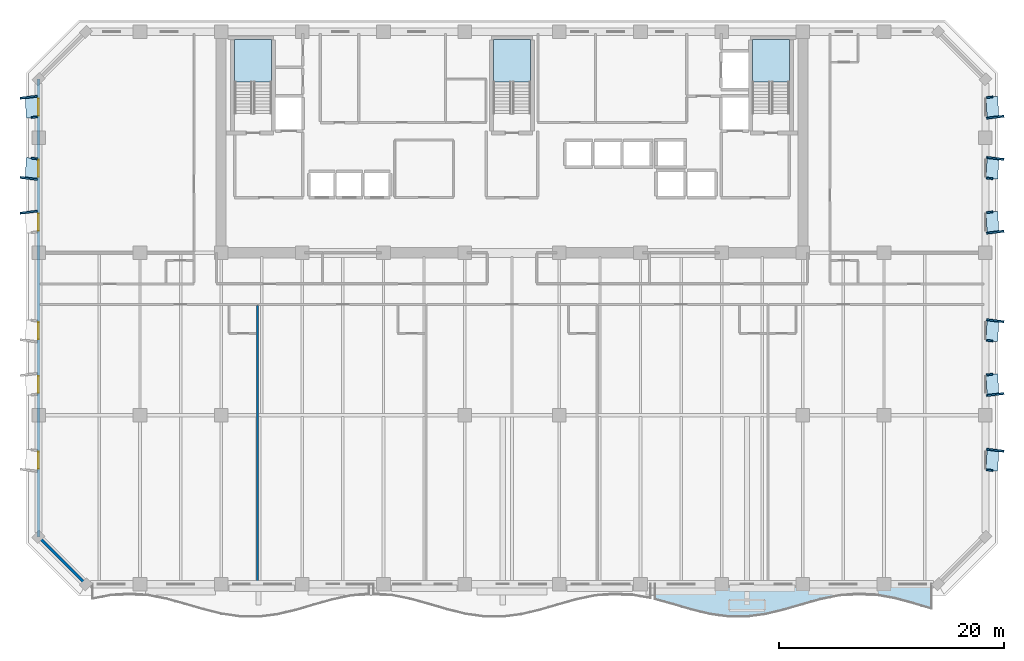
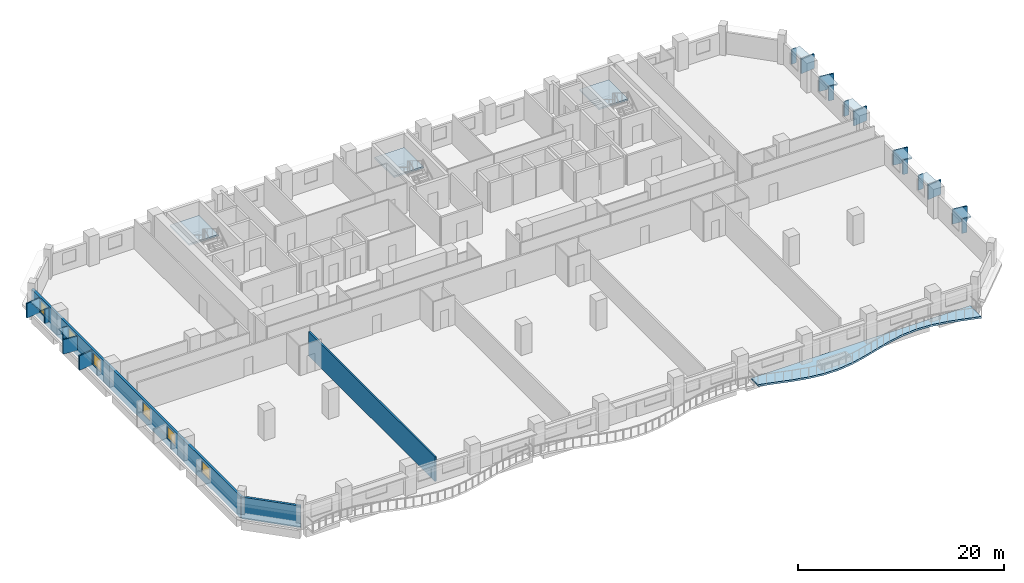
# One storey, part 3 of 14: 25 plates, 6 windows, 4 slabs, 3 walls, 6 openings, 3 elements without a shape of their own.
"""IFC4 building model written with IfcOpenShell, lengths in metres."""

from ifc_helpers import new_model, si_unit, direction, frame, frame_2d, origin, origin_2d, place, context, subcontext, project, spatial, polyline, rectangle, outline, extrude, material, layer, layer_set, type_object, element, fill, aggregate, save


model = new_model("IFC4")

# Units and contexts
model_context = context("Model", 3, precision=1e-05, world=origin(), true_north=direction((0.0, 1.0)))
body_context = subcontext(model_context, "Body", "Model", "MODEL_VIEW")
ifc_project = project(units=[si_unit("LENGTHUNIT", "METRE"), si_unit("AREAUNIT", "SQUARE_METRE"), si_unit("VOLUMEUNIT", "CUBIC_METRE"), si_unit("PLANEANGLEUNIT", "RADIAN"), si_unit("MASSUNIT", "GRAM", prefix="KILO")], contexts=[model_context])

# Site, building, storey
site_placement = place(None, origin())
site = spatial("IfcSite", under=ifc_project, at=site_placement, CompositionType="ELEMENT")
building_placement = place(site_placement, origin())
building = spatial("IfcBuilding", under=site, at=building_placement, Name="Kaelvorn Grand Hotel", CompositionType="ELEMENT")
storey_placement = place(building_placement, frame((0.0, 0.0, 119.300048828125)))
storey = spatial("IfcBuildingStorey", under=building, at=storey_placement, Name="L28", CompositionType="ELEMENT", Elevation=119.300048828125)

# Plates
ifc_material_1 = material(Name="Precast concrete C45/55", Category="concrete")
ifc_layer_1 = layer(ifc_material_1, 0.159912109375)
ifc_layer_set_1 = layer_set([ifc_layer_1], Name="Precast concrete C45/55")
plate_type_1 = type_object("IfcPlateType", Name="PL-FRAME-DEEP-1550", PredefinedType="USERDEFINED", material=ifc_layer_set_1)
for number, where, z_axis, x_axis, name in (
    (1, (84.864990234375, 11.889892578125, 0.68994140625), (0.0, 0.0, 1.0), (0.121869343405, 0.992546151641, 0.0), "L28 Tilted Precast Window Frame Fin R-E01"),
    (2, (84.864990234375, 16.824951171875, 0.68994140625), (0.0, 0.0, 1.0), (-0.121869343405, 0.992546151641, 0.0), "L28 Tilted Precast Window Frame Fin L-E02"),
    (3, (84.864990234375, 23.375, 0.68994140625), (0.0, 0.0, 1.0), (0.121869343405, 0.992546151641, 0.0), "L28 Tilted Precast Window Frame Fin R-E03"),
    (4, (84.864990234375, 31.22509765625, 0.68994140625), (0.0, 0.0, 1.0), (-0.121869343405, 0.992546151641, 0.0), "L28 Tilted Precast Window Frame Fin L-E04"),
    (5, (84.864990234375, 37.77490234375, 0.68994140625), (0.0, 0.0, 1.0), (0.121869343405, 0.992546151641, 0.0), "L28 Tilted Precast Window Frame Fin R-E05"),
    (6, (84.864990234375, 41.425048828125, 0.68994140625), (0.0, 0.0, 1.0), (-0.121869343405, 0.992546151641, 0.0), "L28 Tilted Precast Window Frame Fin L-E06"),
    (7, (-0.864990234375, 33.0048828125, 0.68994140625), (0.0, 0.0, 1.0), (-0.121869343405, 0.992546151641, 0.0), "L28 Tilted Precast Window Frame Fin R-W04"),
    (8, (-0.864990234375, 35.9951171875, 0.68994140625), (0.0, 0.0, 1.0), (0.121869343405, 0.992546151641, 0.0), "L28 Tilted Precast Window Frame Fin L-W05"),
    (9, (-0.864990234375, 43.205078125, 0.68994140625), (0.0, 0.0, 1.0), (-0.121869343405, 0.992546151641, 0.0), "L28 Tilted Precast Window Frame Fin R-W06"),
):
    element("IfcPlate", number, at=place(storey_placement, frame(where, z_axis=z_axis, x_axis=x_axis)), inside=storey, type_object=plate_type_1, Name=name, ObjectType="FLANGE_PLATE", PredefinedType="USERDEFINED", context=body_context, shape_type="SweptSolid", body=[
        extrude(rectangle(XDim=0.159912109375, YDim=1.550048828125, at=origin_2d()), origin(), (0.0, 0.0, 1.0), 1.719970703125),
    ])
ifc_layer_2 = layer(ifc_material_1, 0.159912109375)
ifc_layer_set_2 = layer_set([ifc_layer_2], Name="Precast concrete C45/55")
plate_type_2 = type_object("IfcPlateType", Name="PL-FRAME-HEAD-1050", PredefinedType="USERDEFINED", material=ifc_layer_set_2)
for number, where, z_axis, x_axis, name in (
    (10, (84.614990234375, 11.0, 2.25), (0.0, 0.0, 1.0), (0.054950179912, 0.998489097451, 0.0), "L28 Precast Window Frame Head Hood H-E01"),
    (11, (84.614990234375, 17.715087890625, 2.25), (0.0, 0.0, 1.0), (-0.054950179912, 0.998489097451, 0.0), "L28 Precast Window Frame Head Hood H-E02"),
    (12, (84.614990234375, 22.485107421875, 2.25), (0.0, 0.0, 1.0), (0.054950179912, 0.998489097451, 0.0), "L28 Precast Window Frame Head Hood H-E03"),
    (13, (84.614990234375, 32.114990234375, 2.25), (0.0, 0.0, 1.0), (-0.054950179912, 0.998489097451, 0.0), "L28 Precast Window Frame Head Hood H-E04"),
    (14, (84.614990234375, 36.885009765625, 2.25), (0.0, 0.0, 1.0), (0.054950179912, 0.998489097451, 0.0), "L28 Precast Window Frame Head Hood H-E05"),
    (15, (84.614990234375, 42.31494140625, 2.25), (0.0, 0.0, 1.0), (-0.054950179912, 0.998489097451, 0.0), "L28 Precast Window Frame Head Hood H-E06"),
    (16, (-0.614990234375, 36.885009765625, 2.25), (0.0, 0.0, 1.0), (0.054950179912, 0.998489097451, 0.0), "L28 Precast Window Frame Head Hood H-W05"),
    (17, (-0.614990234375, 42.31494140625, 2.25), (0.0, 0.0, 1.0), (-0.054950179912, 0.998489097451, 0.0), "L28 Precast Window Frame Head Hood H-W06"),
):
    element("IfcPlate", number, at=place(storey_placement, frame(where, z_axis=z_axis, x_axis=x_axis)), inside=storey, type_object=plate_type_2, Name=name, ObjectType="FLANGE_PLATE", PredefinedType="USERDEFINED", context=body_context, shape_type="SweptSolid", body=[
        extrude(rectangle(XDim=1.860107421875, YDim=1.050048828125, at=origin_2d()), origin(), (0.0, 0.0, 1.0), 0.159912109375),
    ])
ifc_layer_3 = layer(ifc_material_1, 0.159912109375)
ifc_layer_set_3 = layer_set([ifc_layer_3], Name="Precast concrete C45/55")
plate_type_3 = type_object("IfcPlateType", Name="PL-FRAME-SHAL-550", PredefinedType="USERDEFINED", material=ifc_layer_set_3)
for number, where, z_axis, x_axis, name in (
    (18, (84.364990234375, 10.110107421875, 0.68994140625), (0.0, 0.0, 1.0), (0.121869343405, 0.992546151641, 0.0), "L28 Tilted Precast Window Frame Fin L-E01"),
    (19, (84.364990234375, 18.60498046875, 0.68994140625), (0.0, 0.0, 1.0), (-0.121869343405, 0.992546151641, 0.0), "L28 Tilted Precast Window Frame Fin R-E02"),
    (20, (84.364990234375, 21.594970703125, 0.68994140625), (0.0, 0.0, 1.0), (0.121869343405, 0.992546151641, 0.0), "L28 Tilted Precast Window Frame Fin L-E03"),
    (21, (84.364990234375, 33.0048828125, 0.68994140625), (0.0, 0.0, 1.0), (-0.121869343405, 0.992546151641, 0.0), "L28 Tilted Precast Window Frame Fin R-E04"),
    (22, (84.364990234375, 35.9951171875, 0.68994140625), (0.0, 0.0, 1.0), (0.121869343405, 0.992546151641, 0.0), "L28 Tilted Precast Window Frame Fin L-E05"),
    (23, (84.364990234375, 43.205078125, 0.68994140625), (0.0, 0.0, 1.0), (-0.121869343405, 0.992546151641, 0.0), "L28 Tilted Precast Window Frame Fin R-E06"),
    (24, (-0.364990234375, 37.77490234375, 0.68994140625), (0.0, 0.0, 1.0), (0.121869343405, 0.992546151641, 0.0), "L28 Tilted Precast Window Frame Fin R-W05"),
    (25, (-0.364990234375, 41.425048828125, 0.68994140625), (0.0, 0.0, 1.0), (-0.121869343405, 0.992546151641, 0.0), "L28 Tilted Precast Window Frame Fin L-W06"),
):
    element("IfcPlate", number, at=place(storey_placement, frame(where, z_axis=z_axis, x_axis=x_axis)), inside=storey, type_object=plate_type_3, Name=name, ObjectType="FLANGE_PLATE", PredefinedType="USERDEFINED", context=body_context, shape_type="SweptSolid", body=[
        extrude(rectangle(XDim=0.159912109375, YDim=0.550048828125, at=origin_2d()), origin(), (0.0, 0.0, 1.0), 1.719970703125),
    ])

# Slab
ifc_material_2 = material(Name="Concrete C40/50", Category="concrete")
ifc_layer_4 = layer(ifc_material_2, 0.219970703125)
ifc_layer_set_4 = layer_set([ifc_layer_4], Name="Concrete C40/50")
slab_type_1 = type_object("IfcSlabType", Name="SLB-BALC-220-C40", PredefinedType="FLOOR", material=ifc_layer_set_4)
slab_1_placement = place(storey_placement, frame((0.0, 0.0, -0.219970703125)))
element("IfcSlab", 26, at=slab_1_placement, inside=storey, type_object=slab_type_1, Name="L28 Scalloped Wave Balcony Slab 3", PredefinedType="FLOOR", context=body_context, shape_type="SweptSolid", body=[
    extrude(outline(polyline([(54.666748046875, -1.318359375), (56.30224609375, -1.7744140625), (57.937744140625, -2.2529296875), (59.5732421875, -2.647216796875), (61.208984375, -2.8701171875), (62.844482421875, -2.8720703125), (64.47998046875, -2.652587890625), (66.115478515625, -2.26025390625), (67.751220703125, -1.782470703125), (69.38671875, -1.3251953125), (71.022216796875, -0.989990234375), (72.65771484375, -0.851318359375), (74.293212890625, -0.940185546875), (75.928955078125, -1.236572265625), (77.564453125, -1.6748046875), (79.199951171875, -2.157470703125), (79.199951171875, 0.0), (54.666748046875, 0.0), (54.666748046875, -1.318359375)])), origin(), (0.0, 0.0, 1.0), 0.219970703125),
])

# Stair, slab
stair_type = type_object("IfcStairType", Name="STR-DOG-1560-R06", PredefinedType="HALF_TURN_STAIR", material=ifc_material_2)
stair_1_placement = place(storey_placement, origin())
stair_1 = element("IfcStair", 27, at=stair_1_placement, inside=storey, type_object=stair_type, Name="L28 West Core Exit Stair ST1", PredefinedType="HALF_TURN_STAIR")
ifc_layer_5 = layer(ifc_material_2, 0.199951171875)
ifc_layer_set_5 = layer_set([ifc_layer_5], Name="Concrete C40/50")
slab_type_2 = type_object("IfcSlabType", Name="SLB-LAND-200-C40", PredefinedType="LANDING", material=ifc_layer_set_5)
slab_2_placement = place(storey_placement, frame((0.0, 0.0, 1.675048828125)))
slab_2 = element("IfcSlab", 28, at=slab_2_placement, type_object=slab_type_2, Name="ST1 landing 1", PredefinedType="LANDING", context=body_context, shape_type="SweptSolid", body=[
    extrude(outline(polyline([(20.679931640625, 44.56005859375), (20.679931640625, 48.300048828125), (17.39990234375, 48.300048828125), (17.39990234375, 44.56005859375), (20.679931640625, 44.56005859375)])), origin(), (0.0, 0.0, 1.0), 0.199951171875),
])
aggregate(stair_1, [slab_2])

stair_2_placement = place(storey_placement, origin())
stair_2 = element("IfcStair", 29, at=stair_2_placement, inside=storey, type_object=stair_type, Name="L28 Central Core Exit Stair ST2", PredefinedType="HALF_TURN_STAIR")
slab_3_placement = place(storey_placement, frame((0.0, 0.0, 1.675048828125)))
slab_3 = element("IfcSlab", 30, at=slab_3_placement, type_object=slab_type_2, Name="ST2 landing 1", PredefinedType="LANDING", context=body_context, shape_type="SweptSolid", body=[
    extrude(outline(polyline([(43.639892578125, 44.56005859375), (43.639892578125, 48.300048828125), (40.360107421875, 48.300048828125), (40.360107421875, 44.56005859375), (43.639892578125, 44.56005859375)])), origin(), (0.0, 0.0, 1.0), 0.199951171875),
])
aggregate(stair_2, [slab_3])

stair_3_placement = place(storey_placement, origin())
stair_3 = element("IfcStair", 31, at=stair_3_placement, inside=storey, type_object=stair_type, Name="L28 East Core Exit Stair ST3", PredefinedType="HALF_TURN_STAIR")
slab_4_placement = place(storey_placement, frame((0.0, 0.0, 1.675048828125)))
slab_4 = element("IfcSlab", 32, at=slab_4_placement, type_object=slab_type_2, Name="ST3 landing 1", PredefinedType="LANDING", context=body_context, shape_type="SweptSolid", body=[
    extrude(outline(polyline([(66.60009765625, 44.56005859375), (66.60009765625, 48.300048828125), (63.320068359375, 48.300048828125), (63.320068359375, 44.56005859375), (66.60009765625, 44.56005859375)])), origin(), (0.0, 0.0, 1.0), 0.199951171875),
])
aggregate(stair_3, [slab_4])

# Wall, openings, windows
ifc_layer_6 = layer(ifc_material_2, 0.260009765625)
ifc_layer_set_6 = layer_set([ifc_layer_6], Name="Concrete C40/50")
wall_type_1 = type_object("IfcWallType", Name="WL-EXT-260-C40", PredefinedType="SOLIDWALL", material=ifc_layer_set_6)
wall_1_placement = place(storey_placement, frame((0.0, 44.800048828125, 0.0), z_axis=(0.0, 0.0, 1.0), x_axis=(0.0, -1.0, 0.0)))
wall_1 = element("IfcWall", 33, at=wall_1_placement, inside=storey, type_object=wall_type_1, Name="L28 Exterior Architectural Concrete Wall 07", PredefinedType="SOLIDWALL", context=body_context, shape_type="SweptSolid", body=[
    extrude(rectangle(XDim=40.60009765625, YDim=0.260009765625, at=frame_2d((20.300048828125, 0.0))), origin(), (0.0, 0.0, 1.0), 2.56005859375),
])
opening_1_placement = place(wall_1_placement, frame((33.050048828125, 0.0, 0.85009765625)))
opening_1 = element("IfcOpeningElement", 34, at=opening_1_placement, cuts=wall_1, Name="Opening W10", PredefinedType="OPENING", context=body_context, shape_type="SweptSolid", body=[
    extrude(rectangle(XDim=1.5, YDim=1.39990234375, at=frame_2d((0.75, 0.699951171875))), frame((0.0, 0.14013671875, 0.0), z_axis=(0.0, -1.0, 0.0), x_axis=(1.0, 0.0, 0.0)), (0.0, 0.0, 1.0), 0.280029296875),
])
opening_2_placement = place(wall_1_placement, frame((26.3349609375, 0.0, 0.85009765625)))
opening_2 = element("IfcOpeningElement", 35, at=opening_2_placement, cuts=wall_1, Name="Opening W10", PredefinedType="OPENING", context=body_context, shape_type="SweptSolid", body=[
    extrude(rectangle(XDim=1.5, YDim=1.39990234375, at=frame_2d((0.75, 0.699951171875))), frame((0.0, 0.14013671875, 0.0), z_axis=(0.0, -1.0, 0.0), x_axis=(1.0, 0.0, 0.0)), (0.0, 0.0, 1.0), 0.280029296875),
])
opening_3_placement = place(wall_1_placement, frame((21.56494140625, 0.0, 0.85009765625)))
opening_3 = element("IfcOpeningElement", 36, at=opening_3_placement, cuts=wall_1, Name="Opening W10", PredefinedType="OPENING", context=body_context, shape_type="SweptSolid", body=[
    extrude(rectangle(XDim=1.5, YDim=1.39990234375, at=frame_2d((0.75, 0.699951171875))), frame((0.0, 0.14013671875, 0.0), z_axis=(0.0, -1.0, 0.0), x_axis=(1.0, 0.0, 0.0)), (0.0, 0.0, 1.0), 0.280029296875),
])
opening_4_placement = place(wall_1_placement, frame((11.93505859375, 0.0, 0.85009765625)))
opening_4 = element("IfcOpeningElement", 37, at=opening_4_placement, cuts=wall_1, Name="Opening W10", PredefinedType="OPENING", context=body_context, shape_type="SweptSolid", body=[
    extrude(rectangle(XDim=1.5, YDim=1.39990234375, at=frame_2d((0.75, 0.699951171875))), frame((0.0, 0.14013671875, 0.0), z_axis=(0.0, -1.0, 0.0), x_axis=(1.0, 0.0, 0.0)), (0.0, 0.0, 1.0), 0.280029296875),
])
opening_5_placement = place(wall_1_placement, frame((7.1650390625, 0.0, 0.85009765625)))
opening_5 = element("IfcOpeningElement", 38, at=opening_5_placement, cuts=wall_1, Name="Opening W10", PredefinedType="OPENING", context=body_context, shape_type="SweptSolid", body=[
    extrude(rectangle(XDim=1.5, YDim=1.39990234375, at=frame_2d((0.75, 0.699951171875))), frame((0.0, 0.14013671875, 0.0), z_axis=(0.0, -1.0, 0.0), x_axis=(1.0, 0.0, 0.0)), (0.0, 0.0, 1.0), 0.280029296875),
])
opening_6_placement = place(wall_1_placement, frame((1.735107421875, 0.0, 0.85009765625)))
opening_6 = element("IfcOpeningElement", 39, at=opening_6_placement, cuts=wall_1, Name="Opening W10", PredefinedType="OPENING", context=body_context, shape_type="SweptSolid", body=[
    extrude(rectangle(XDim=1.5, YDim=1.39990234375, at=frame_2d((0.75, 0.699951171875))), frame((0.0, 0.14013671875, 0.0), z_axis=(0.0, -1.0, 0.0), x_axis=(1.0, 0.0, 0.0)), (0.0, 0.0, 1.0), 0.280029296875),
])
ifc_material_3 = material(Name="Laminated Low-E Glass", Category="glass")
window_type = type_object("IfcWindowType", Name="WIN-COR-1500x1400", PartitioningType="SINGLE_PANEL", PredefinedType="WINDOW", material=ifc_material_3)
window_1_placement = place(opening_1_placement, origin())
window_1 = element("IfcWindow", 40, at=window_1_placement, inside=storey, type_object=window_type, Name="L28 W Wing Tilted-Frame Ribbon Window W01", OverallHeight=1.39990234375, OverallWidth=1.5, PartitioningType="SINGLE_PANEL", PredefinedType="WINDOW", context=body_context, shape_type="SweptSolid", body=[
    extrude(rectangle(XDim=1.5, YDim=1.39990234375, at=frame_2d((0.75, 0.699951171875))), frame((0.0, 0.030029296875, 0.0), z_axis=(0.0, -1.0, 0.0), x_axis=(1.0, 0.0, 0.0)), (0.0, 0.0, 1.0), 0.06005859375),
])
fill(opening_1, window_1)
window_2_placement = place(opening_2_placement, origin())
window_2 = element("IfcWindow", 41, at=window_2_placement, inside=storey, type_object=window_type, Name="L28 W Wing Tilted-Frame Ribbon Window W02", OverallHeight=1.39990234375, OverallWidth=1.5, PartitioningType="SINGLE_PANEL", PredefinedType="WINDOW", context=body_context, shape_type="SweptSolid", body=[
    extrude(rectangle(XDim=1.5, YDim=1.39990234375, at=frame_2d((0.75, 0.699951171875))), frame((0.0, 0.030029296875, 0.0), z_axis=(0.0, -1.0, 0.0), x_axis=(1.0, 0.0, 0.0)), (0.0, 0.0, 1.0), 0.06005859375),
])
fill(opening_2, window_2)
window_3_placement = place(opening_3_placement, origin())
window_3 = element("IfcWindow", 42, at=window_3_placement, inside=storey, type_object=window_type, Name="L28 W Wing Tilted-Frame Ribbon Window W03", OverallHeight=1.39990234375, OverallWidth=1.5, PartitioningType="SINGLE_PANEL", PredefinedType="WINDOW", context=body_context, shape_type="SweptSolid", body=[
    extrude(rectangle(XDim=1.5, YDim=1.39990234375, at=frame_2d((0.75, 0.699951171875))), frame((0.0, 0.030029296875, 0.0), z_axis=(0.0, -1.0, 0.0), x_axis=(1.0, 0.0, 0.0)), (0.0, 0.0, 1.0), 0.06005859375),
])
fill(opening_3, window_3)
window_4_placement = place(opening_4_placement, origin())
window_4 = element("IfcWindow", 43, at=window_4_placement, inside=storey, type_object=window_type, Name="L28 W Wing Tilted-Frame Ribbon Window W04", OverallHeight=1.39990234375, OverallWidth=1.5, PartitioningType="SINGLE_PANEL", PredefinedType="WINDOW", context=body_context, shape_type="SweptSolid", body=[
    extrude(rectangle(XDim=1.5, YDim=1.39990234375, at=frame_2d((0.75, 0.699951171875))), frame((0.0, 0.030029296875, 0.0), z_axis=(0.0, -1.0, 0.0), x_axis=(1.0, 0.0, 0.0)), (0.0, 0.0, 1.0), 0.06005859375),
])
fill(opening_4, window_4)
window_5_placement = place(opening_5_placement, origin())
window_5 = element("IfcWindow", 44, at=window_5_placement, inside=storey, type_object=window_type, Name="L28 W Wing Tilted-Frame Ribbon Window W05", OverallHeight=1.39990234375, OverallWidth=1.5, PartitioningType="SINGLE_PANEL", PredefinedType="WINDOW", context=body_context, shape_type="SweptSolid", body=[
    extrude(rectangle(XDim=1.5, YDim=1.39990234375, at=frame_2d((0.75, 0.699951171875))), frame((0.0, 0.030029296875, 0.0), z_axis=(0.0, -1.0, 0.0), x_axis=(1.0, 0.0, 0.0)), (0.0, 0.0, 1.0), 0.06005859375),
])
fill(opening_5, window_5)
window_6_placement = place(opening_6_placement, origin())
window_6 = element("IfcWindow", 45, at=window_6_placement, inside=storey, type_object=window_type, Name="L28 W Wing Tilted-Frame Ribbon Window W06", OverallHeight=1.39990234375, OverallWidth=1.5, PartitioningType="SINGLE_PANEL", PredefinedType="WINDOW", context=body_context, shape_type="SweptSolid", body=[
    extrude(rectangle(XDim=1.5, YDim=1.39990234375, at=frame_2d((0.75, 0.699951171875))), frame((0.0, 0.030029296875, 0.0), z_axis=(0.0, -1.0, 0.0), x_axis=(1.0, 0.0, 0.0)), (0.0, 0.0, 1.0), 0.06005859375),
])
fill(opening_6, window_6)

# Walls
wall_2_placement = place(storey_placement, frame((0.0, 4.199951171875, 0.0), z_axis=(0.0, 0.0, 1.0), x_axis=(0.707106781187, -0.707106781187, 0.0)))
element("IfcWall", 46, at=wall_2_placement, inside=storey, type_object=wall_type_1, Name="L28 Exterior Architectural Concrete Wall 08", PredefinedType="SOLIDWALL", context=body_context, shape_type="SweptSolid", body=[
    extrude(rectangle(XDim=5.939697265625, YDim=0.260009765625, at=frame_2d((2.9697265625, 0.0))), origin(), (0.0, 0.0, 1.0), 2.56005859375),
])
ifc_material_4 = material(Name="Acoustic Gypsum & Stud Partition")
ifc_layer_7 = layer(ifc_material_4, 0.179931640625)
ifc_layer_set_7 = layer_set([ifc_layer_7], Name="Acoustic Gypsum & Stud Partition")
wall_type_2 = type_object("IfcWallType", Name="WL-PART-180-EI60", PredefinedType="PARTITIONING", material=ifc_layer_set_7)
wall_3_placement = place(storey_placement, frame((19.409912109375, 0.14990234375, 0.0), z_axis=(0.0, 0.0, 1.0), x_axis=(0.0, 1.0, 0.0)))
element("IfcWall", 47, at=wall_3_placement, inside=storey, type_object=wall_type_2, Name="L28 Presidential Sky Suite L28-01 E Partition", PredefinedType="PARTITIONING", context=body_context, shape_type="SweptSolid", body=[
    extrude(rectangle(XDim=24.55517578125, YDim=0.179931640625, at=frame_2d((12.277587890625, 0.0))), origin(), (0.0, 0.0, 1.0), 2.8798828125),
])

save(model, "model.ifc")
